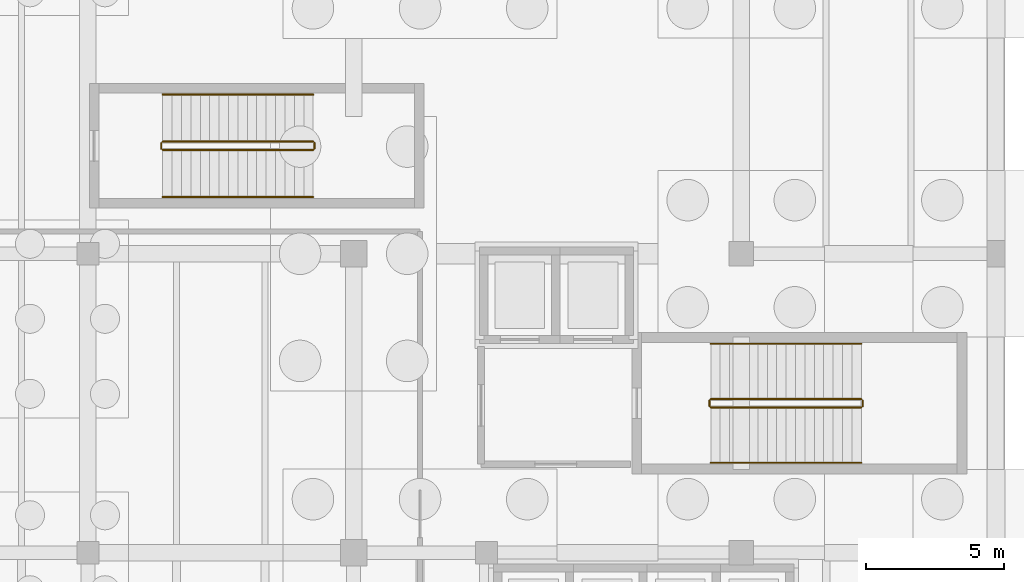
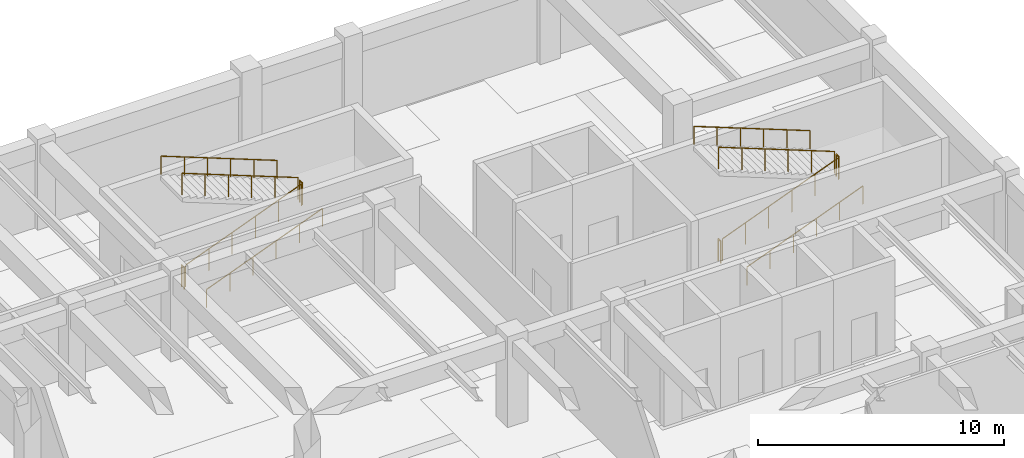
# One storey, part 32 of 33: 12 railings.
"""IFC4 building model written with IfcOpenShell, lengths in metres."""

from ifc_helpers import new_model, si_unit, direction, frame, origin, origin_2d, place, context, subcontext, project, spatial, circle, extrude, material, type_object, element, save


model = new_model("IFC4")

# Units and contexts
model_context = context("Model", 3, precision=1e-05, world=origin(), true_north=direction((0.0, 1.0)))
body_context = subcontext(model_context, "Body", "Model", "MODEL_VIEW")
ifc_project = project(units=[si_unit("LENGTHUNIT", "METRE"), si_unit("AREAUNIT", "SQUARE_METRE"), si_unit("VOLUMEUNIT", "CUBIC_METRE"), si_unit("PLANEANGLEUNIT", "RADIAN"), si_unit("MASSUNIT", "GRAM", prefix="KILO")], contexts=[model_context])

# Site, building, storey
site_placement = place(None, origin())
site = spatial("IfcSite", under=ifc_project, at=site_placement, CompositionType="ELEMENT")
building_placement = place(site_placement, origin())
building = spatial("IfcBuilding", under=site, at=building_placement, Name="Veldera Park Congress Hotel", CompositionType="ELEMENT")
storey_placement = place(building_placement, frame((0.0, 0.0, -4.5)))
storey = spatial("IfcBuildingStorey", under=building, at=storey_placement, Name="B1", CompositionType="ELEMENT", Elevation=-4.5)

# Railings
ifc_material = material(Name="Steel ASTM A992 Gr.50", Category="steel")
railing_type_1 = type_object("IfcRailingType", Name="GRD-ST110", PredefinedType="GUARDRAIL", material=ifc_material)
railing_1_placement = place(storey_placement, frame((73.699951171875, 41.64990234375, 0.13232421875)))
element("IfcRailing", 1, at=railing_1_placement, inside=storey, type_object=railing_type_1, Name="B1 ST1 stair guard 1", PredefinedType="GUARDRAIL", context=body_context, shape_type="SweptSolid", body=[
    extrude(circle(Radius=0.02392578125, at=origin_2d()), frame((0.0, 0.0, 1.076171875), z_axis=(0.93188060822, 0.0, 0.362765119635), x_axis=(0.0, 1.0, 0.0)), (0.0, 0.0, 1.0), 5.837646484375),
    extrude(circle(Radius=0.02099609375, at=origin_2d()), origin(), (0.0, 0.0, 1.0), 1.052001953125),
    extrude(circle(Radius=0.02099609375, at=origin_2d()), frame((1.087890625, 0.0, 0.423583984375)), (0.0, 0.0, 1.0), 1.052001953125),
    extrude(circle(Radius=0.02099609375, at=origin_2d()), frame((2.176025390625, 0.0, 0.84716796875)), (0.0, 0.0, 1.0), 1.052001953125),
    extrude(circle(Radius=0.02099609375, at=origin_2d()), frame((3.263916015625, 0.0, 1.2705078125)), (0.0, 0.0, 1.0), 1.052001953125),
    extrude(circle(Radius=0.02099609375, at=origin_2d()), frame((4.35205078125, 0.0, 1.694091796875)), (0.0, 0.0, 1.0), 1.052001953125),
    extrude(circle(Radius=0.02099609375, at=origin_2d()), frame((5.43994140625, 0.0, 2.11767578125)), (0.0, 0.0, 1.0), 1.052001953125),
])
railing_2_placement = place(storey_placement, frame((79.18994140625, 41.699951171875, 2.25)))
element("IfcRailing", 2, at=railing_2_placement, inside=storey, type_object=railing_type_1, Name="B1 ST1 stair guard 2", PredefinedType="GUARDRAIL", context=body_context, shape_type="SweptSolid", body=[
    extrude(circle(Radius=0.02392578125, at=origin_2d()), frame((0.0, 0.0, 1.076171875), z_axis=(0.0, 1.0, 0.0), x_axis=(-1.0, 0.0, 0.0)), (0.0, 0.0, 1.0), 0.199951171875),
    extrude(circle(Radius=0.02099609375, at=origin_2d()), origin(), (0.0, 0.0, 1.0), 1.052001953125),
    extrude(circle(Radius=0.02099609375, at=origin_2d()), frame((0.0, 0.199951171875, 0.0)), (0.0, 0.0, 1.0), 1.052001953125),
])
railing_3_placement = place(storey_placement, frame((79.139892578125, 41.949951171875, 2.38232421875)))
element("IfcRailing", 3, at=railing_3_placement, inside=storey, type_object=railing_type_1, Name="B1 ST1 stair guard 3", PredefinedType="GUARDRAIL", context=body_context, shape_type="SweptSolid", body=[
    extrude(circle(Radius=0.02392578125, at=origin_2d()), frame((0.0, 0.0, 1.076171875), z_axis=(-0.93188060822, 0.0, 0.362765119635), x_axis=(0.0, -1.0, 0.0)), (0.0, 0.0, 1.0), 5.837646484375),
    extrude(circle(Radius=0.02099609375, at=origin_2d()), origin(), (0.0, 0.0, 1.0), 1.052001953125),
    extrude(circle(Radius=0.02099609375, at=origin_2d()), frame((-1.087890625, 0.0, 0.423583984375)), (0.0, 0.0, 1.0), 1.052001953125),
    extrude(circle(Radius=0.02099609375, at=origin_2d()), frame((-2.176025390625, 0.0, 0.84716796875)), (0.0, 0.0, 1.0), 1.052001953125),
    extrude(circle(Radius=0.02099609375, at=origin_2d()), frame((-3.263916015625, 0.0, 1.2705078125)), (0.0, 0.0, 1.0), 1.052001953125),
    extrude(circle(Radius=0.02099609375, at=origin_2d()), frame((-4.35205078125, 0.0, 1.694091796875)), (0.0, 0.0, 1.0), 1.052001953125),
    extrude(circle(Radius=0.02099609375, at=origin_2d()), frame((-5.43994140625, 0.0, 2.11767578125)), (0.0, 0.0, 1.0), 1.052001953125),
])
railing_4_placement = place(storey_placement, frame((73.64990234375, 41.699951171875, 0.0)))
element("IfcRailing", 4, at=railing_4_placement, inside=storey, type_object=railing_type_1, Name="B1 ST1 stair guard 4", PredefinedType="GUARDRAIL", context=body_context, shape_type="SweptSolid", body=[
    extrude(circle(Radius=0.02392578125, at=origin_2d()), frame((0.0, 0.0, 1.076171875), z_axis=(0.0, 1.0, 0.0), x_axis=(-1.0, 0.0, 0.0)), (0.0, 0.0, 1.0), 0.199951171875),
    extrude(circle(Radius=0.02099609375, at=origin_2d()), origin(), (0.0, 0.0, 1.0), 1.052001953125),
    extrude(circle(Radius=0.02099609375, at=origin_2d()), frame((0.0, 0.199951171875, 0.0)), (0.0, 0.0, 1.0), 1.052001953125),
])
railing_5_placement = place(storey_placement, frame((53.89990234375, 50.949951171875, 0.13232421875)))
element("IfcRailing", 5, at=railing_5_placement, inside=storey, type_object=railing_type_1, Name="B1 ST3 stair guard 1", PredefinedType="GUARDRAIL", context=body_context, shape_type="SweptSolid", body=[
    extrude(circle(Radius=0.02392578125, at=origin_2d()), frame((0.0, 0.0, 1.076171875), z_axis=(0.931886111629, 0.0, 0.362750982016), x_axis=(0.0, 1.0, 0.0)), (0.0, 0.0, 1.0), 5.837890625),
    extrude(circle(Radius=0.02099609375, at=origin_2d()), origin(), (0.0, 0.0, 1.0), 1.052001953125),
    extrude(circle(Radius=0.02099609375, at=origin_2d()), frame((1.088134765625, 0.0, 0.423583984375)), (0.0, 0.0, 1.0), 1.052001953125),
    extrude(circle(Radius=0.02099609375, at=origin_2d()), frame((2.176025390625, 0.0, 0.84716796875)), (0.0, 0.0, 1.0), 1.052001953125),
    extrude(circle(Radius=0.02099609375, at=origin_2d()), frame((3.26416015625, 0.0, 1.2705078125)), (0.0, 0.0, 1.0), 1.052001953125),
    extrude(circle(Radius=0.02099609375, at=origin_2d()), frame((4.35205078125, 0.0, 1.694091796875)), (0.0, 0.0, 1.0), 1.052001953125),
    extrude(circle(Radius=0.02099609375, at=origin_2d()), frame((5.440185546875, 0.0, 2.11767578125)), (0.0, 0.0, 1.0), 1.052001953125),
])
railing_6_placement = place(storey_placement, frame((59.389892578125, 51.0, 2.25)))
element("IfcRailing", 6, at=railing_6_placement, inside=storey, type_object=railing_type_1, Name="B1 ST3 stair guard 2", PredefinedType="GUARDRAIL", context=body_context, shape_type="SweptSolid", body=[
    extrude(circle(Radius=0.02392578125, at=origin_2d()), frame((0.0, 0.0, 1.076171875), z_axis=(0.0, 1.0, 0.0), x_axis=(-1.0, 0.0, 0.0)), (0.0, 0.0, 1.0), 0.199951171875),
    extrude(circle(Radius=0.02099609375, at=origin_2d()), origin(), (0.0, 0.0, 1.0), 1.052001953125),
    extrude(circle(Radius=0.02099609375, at=origin_2d()), frame((0.0, 0.199951171875, 0.0)), (0.0, 0.0, 1.0), 1.052001953125),
])
railing_7_placement = place(storey_placement, frame((59.340087890625, 51.25, 2.38232421875)))
element("IfcRailing", 7, at=railing_7_placement, inside=storey, type_object=railing_type_1, Name="B1 ST3 stair guard 3", PredefinedType="GUARDRAIL", context=body_context, shape_type="SweptSolid", body=[
    extrude(circle(Radius=0.02392578125, at=origin_2d()), frame((0.0, 0.0, 1.076171875), z_axis=(-0.931886111629, 0.0, 0.362750982016), x_axis=(0.0, -1.0, 0.0)), (0.0, 0.0, 1.0), 5.837890625),
    extrude(circle(Radius=0.02099609375, at=origin_2d()), origin(), (0.0, 0.0, 1.0), 1.052001953125),
    extrude(circle(Radius=0.02099609375, at=origin_2d()), frame((-1.088134765625, 0.0, 0.423583984375)), (0.0, 0.0, 1.0), 1.052001953125),
    extrude(circle(Radius=0.02099609375, at=origin_2d()), frame((-2.176025390625, 0.0, 0.84716796875)), (0.0, 0.0, 1.0), 1.052001953125),
    extrude(circle(Radius=0.02099609375, at=origin_2d()), frame((-3.26416015625, 0.0, 1.2705078125)), (0.0, 0.0, 1.0), 1.052001953125),
    extrude(circle(Radius=0.02099609375, at=origin_2d()), frame((-4.35205078125, 0.0, 1.694091796875)), (0.0, 0.0, 1.0), 1.052001953125),
    extrude(circle(Radius=0.02099609375, at=origin_2d()), frame((-5.440185546875, 0.0, 2.11767578125)), (0.0, 0.0, 1.0), 1.052001953125),
])
railing_8_placement = place(storey_placement, frame((53.85009765625, 51.0, 0.0)))
element("IfcRailing", 8, at=railing_8_placement, inside=storey, type_object=railing_type_1, Name="B1 ST3 stair guard 4", PredefinedType="GUARDRAIL", context=body_context, shape_type="SweptSolid", body=[
    extrude(circle(Radius=0.02392578125, at=origin_2d()), frame((0.0, 0.0, 1.076171875), z_axis=(0.0, 1.0, 0.0), x_axis=(-1.0, 0.0, 0.0)), (0.0, 0.0, 1.0), 0.199951171875),
    extrude(circle(Radius=0.02099609375, at=origin_2d()), origin(), (0.0, 0.0, 1.0), 1.052001953125),
    extrude(circle(Radius=0.02099609375, at=origin_2d()), frame((0.0, 0.199951171875, 0.0)), (0.0, 0.0, 1.0), 1.052001953125),
])
railing_type_2 = type_object("IfcRailingType", Name="HRL-920", PredefinedType="HANDRAIL", material=ifc_material)
railing_9_placement = place(storey_placement, frame((73.699951171875, 39.64990234375, 0.13232421875)))
element("IfcRailing", 9, at=railing_9_placement, inside=storey, type_object=railing_type_2, Name="B1 ST1 stair handrail 1", PredefinedType="HANDRAIL", context=body_context, shape_type="SweptSolid", body=[
    extrude(circle(Radius=0.02392578125, at=origin_2d()), frame((0.0, 0.0, 0.89599609375), z_axis=(0.93188060822, 0.0, 0.362765119635), x_axis=(0.0, 1.0, 0.0)), (0.0, 0.0, 1.0), 5.837646484375),
    extrude(circle(Radius=0.02099609375, at=origin_2d()), origin(), (0.0, 0.0, 1.0), 0.871826171875),
    extrude(circle(Radius=0.02099609375, at=origin_2d()), frame((1.087890625, 0.0, 0.423583984375)), (0.0, 0.0, 1.0), 0.871826171875),
    extrude(circle(Radius=0.02099609375, at=origin_2d()), frame((2.176025390625, 0.0, 0.84716796875)), (0.0, 0.0, 1.0), 0.871826171875),
    extrude(circle(Radius=0.02099609375, at=origin_2d()), frame((3.263916015625, 0.0, 1.2705078125)), (0.0, 0.0, 1.0), 0.871826171875),
    extrude(circle(Radius=0.02099609375, at=origin_2d()), frame((4.35205078125, 0.0, 1.694091796875)), (0.0, 0.0, 1.0), 0.871826171875),
    extrude(circle(Radius=0.02099609375, at=origin_2d()), frame((5.43994140625, 0.0, 2.11767578125)), (0.0, 0.0, 1.0), 0.871826171875),
])
railing_10_placement = place(storey_placement, frame((79.139892578125, 43.949951171875, 2.38232421875)))
element("IfcRailing", 10, at=railing_10_placement, inside=storey, type_object=railing_type_2, Name="B1 ST1 stair handrail 2", PredefinedType="HANDRAIL", context=body_context, shape_type="SweptSolid", body=[
    extrude(circle(Radius=0.02392578125, at=origin_2d()), frame((0.0, 0.0, 0.89599609375), z_axis=(-0.93188060822, 0.0, 0.362765119635), x_axis=(0.0, -1.0, 0.0)), (0.0, 0.0, 1.0), 5.837646484375),
    extrude(circle(Radius=0.02099609375, at=origin_2d()), origin(), (0.0, 0.0, 1.0), 0.871826171875),
    extrude(circle(Radius=0.02099609375, at=origin_2d()), frame((-1.087890625, 0.0, 0.423583984375)), (0.0, 0.0, 1.0), 0.871826171875),
    extrude(circle(Radius=0.02099609375, at=origin_2d()), frame((-2.176025390625, 0.0, 0.84716796875)), (0.0, 0.0, 1.0), 0.871826171875),
    extrude(circle(Radius=0.02099609375, at=origin_2d()), frame((-3.263916015625, 0.0, 1.2705078125)), (0.0, 0.0, 1.0), 0.871826171875),
    extrude(circle(Radius=0.02099609375, at=origin_2d()), frame((-4.35205078125, 0.0, 1.694091796875)), (0.0, 0.0, 1.0), 0.871826171875),
    extrude(circle(Radius=0.02099609375, at=origin_2d()), frame((-5.43994140625, 0.0, 2.11767578125)), (0.0, 0.0, 1.0), 0.871826171875),
])
railing_11_placement = place(storey_placement, frame((53.89990234375, 49.25, 0.13232421875)))
element("IfcRailing", 11, at=railing_11_placement, inside=storey, type_object=railing_type_2, Name="B1 ST3 stair handrail 1", PredefinedType="HANDRAIL", context=body_context, shape_type="SweptSolid", body=[
    extrude(circle(Radius=0.02392578125, at=origin_2d()), frame((0.0, 0.0, 0.89599609375), z_axis=(0.931886111629, 0.0, 0.362750982016), x_axis=(0.0, 1.0, 0.0)), (0.0, 0.0, 1.0), 5.837890625),
    extrude(circle(Radius=0.02099609375, at=origin_2d()), origin(), (0.0, 0.0, 1.0), 0.871826171875),
    extrude(circle(Radius=0.02099609375, at=origin_2d()), frame((1.088134765625, 0.0, 0.423583984375)), (0.0, 0.0, 1.0), 0.871826171875),
    extrude(circle(Radius=0.02099609375, at=origin_2d()), frame((2.176025390625, 0.0, 0.84716796875)), (0.0, 0.0, 1.0), 0.871826171875),
    extrude(circle(Radius=0.02099609375, at=origin_2d()), frame((3.26416015625, 0.0, 1.2705078125)), (0.0, 0.0, 1.0), 0.871826171875),
    extrude(circle(Radius=0.02099609375, at=origin_2d()), frame((4.35205078125, 0.0, 1.694091796875)), (0.0, 0.0, 1.0), 0.871826171875),
    extrude(circle(Radius=0.02099609375, at=origin_2d()), frame((5.440185546875, 0.0, 2.11767578125)), (0.0, 0.0, 1.0), 0.871826171875),
])
railing_12_placement = place(storey_placement, frame((59.340087890625, 52.949951171875, 2.38232421875)))
element("IfcRailing", 12, at=railing_12_placement, inside=storey, type_object=railing_type_2, Name="B1 ST3 stair handrail 2", PredefinedType="HANDRAIL", context=body_context, shape_type="SweptSolid", body=[
    extrude(circle(Radius=0.02392578125, at=origin_2d()), frame((0.0, 0.0, 0.89599609375), z_axis=(-0.931886111629, 0.0, 0.362750982016), x_axis=(0.0, -1.0, 0.0)), (0.0, 0.0, 1.0), 5.837890625),
    extrude(circle(Radius=0.02099609375, at=origin_2d()), origin(), (0.0, 0.0, 1.0), 0.871826171875),
    extrude(circle(Radius=0.02099609375, at=origin_2d()), frame((-1.088134765625, 0.0, 0.423583984375)), (0.0, 0.0, 1.0), 0.871826171875),
    extrude(circle(Radius=0.02099609375, at=origin_2d()), frame((-2.176025390625, 0.0, 0.84716796875)), (0.0, 0.0, 1.0), 0.871826171875),
    extrude(circle(Radius=0.02099609375, at=origin_2d()), frame((-3.26416015625, 0.0, 1.2705078125)), (0.0, 0.0, 1.0), 0.871826171875),
    extrude(circle(Radius=0.02099609375, at=origin_2d()), frame((-4.35205078125, 0.0, 1.694091796875)), (0.0, 0.0, 1.0), 0.871826171875),
    extrude(circle(Radius=0.02099609375, at=origin_2d()), frame((-5.440185546875, 0.0, 2.11767578125)), (0.0, 0.0, 1.0), 0.871826171875),
])

save(model, "model.ifc")
